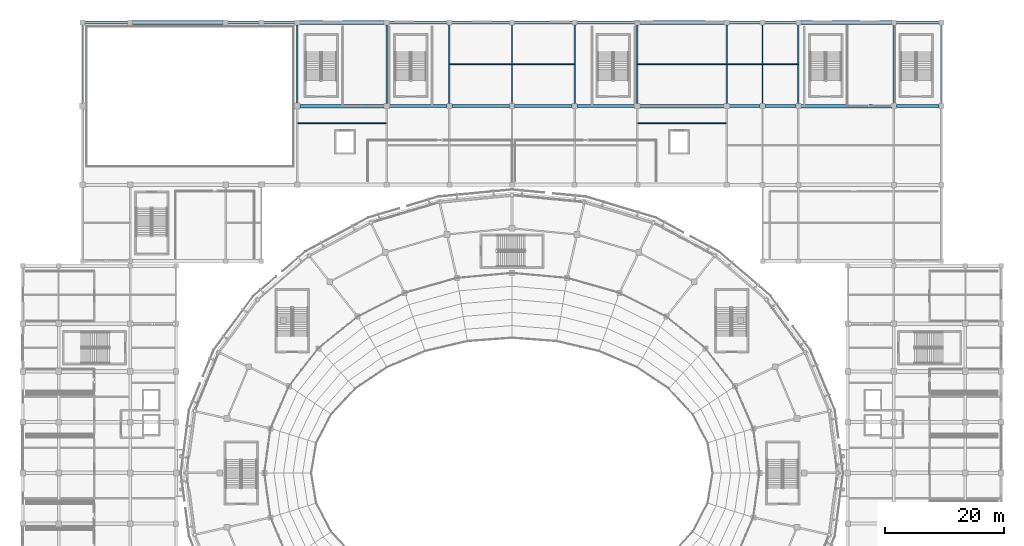
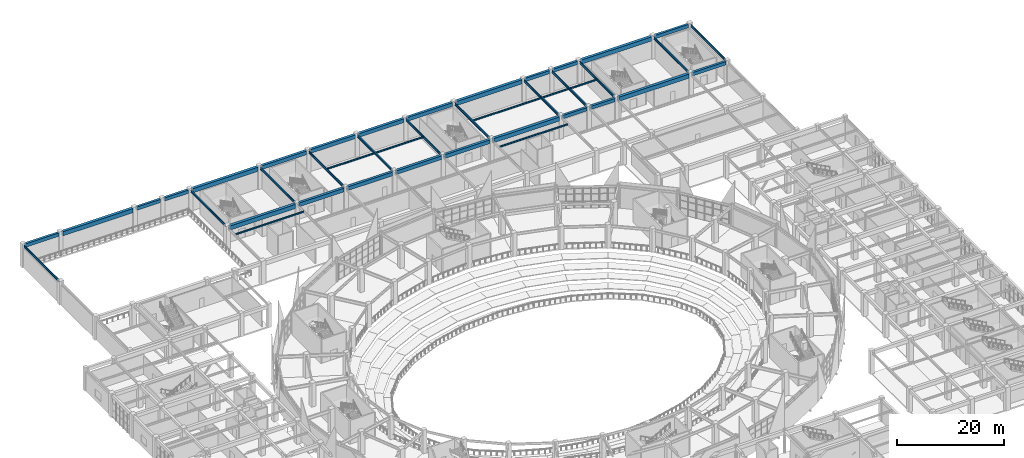
# One storey, part 56 of 120: 43 beams.
"""IFC4 building model written with IfcOpenShell, lengths in metres."""

from ifc_helpers import new_model, si_unit, direction, frame, origin, origin_2d, place, context, subcontext, project, spatial, rectangle, i_section, extrude, material, material_profile, profile_set, type_object, element, save


model = new_model("IFC4")

# Units and contexts
model_context = context("Model", 3, precision=1e-05, world=origin(), true_north=direction((0.0, 1.0)))
body_context = subcontext(model_context, "Body", "Model", "MODEL_VIEW")
ifc_project = project(units=[si_unit("LENGTHUNIT", "METRE"), si_unit("AREAUNIT", "SQUARE_METRE"), si_unit("VOLUMEUNIT", "CUBIC_METRE"), si_unit("PLANEANGLEUNIT", "RADIAN"), si_unit("MASSUNIT", "GRAM", prefix="KILO")], contexts=[model_context])

# Site, building, storey
site_placement = place(None, origin())
site = spatial("IfcSite", under=ifc_project, at=site_placement, CompositionType="ELEMENT")
building_placement = place(site_placement, origin())
building = spatial("IfcBuilding", under=site, at=building_placement, Name="Cuetzalor Civic Arena", CompositionType="ELEMENT")
storey_placement = place(building_placement, frame((0.0, 0.0, 6.0)))
storey = spatial("IfcBuildingStorey", under=building, at=storey_placement, Name="L01", CompositionType="ELEMENT", Elevation=6.0)

# Beams
ifc_material_1 = material(Name="Concrete C40/50", Category="concrete")
ifc_material_profile_1 = material_profile(ifc_material_1, rectangle(XDim=0.5, YDim=0.75, at=origin_2d()), Name="RC 500x750")
ifc_profile_set_1 = profile_set([ifc_material_profile_1], Name="Concrete C40/50")
beam_type_1 = type_object("IfcBeamType", Name="ConcreteFrameBeam_500x750", PredefinedType="BEAM", material=ifc_profile_set_1)
for number, where, z_axis, x_axis, name in (
    (1, (36.4150390625, 61.5, 4.705078125), (1.0, 0.0, 0.0), (0.0, 1.0, 0.0), "Frame Girder V5-L01-X0527"),
    (2, (42.4150390625, 61.5, 4.705078125), (1.0, 0.0, 0.0), (0.0, 1.0, 0.0), "Frame Girder V5-L01-X0528"),
):
    element("IfcBeam", number, at=place(storey_placement, frame(where, z_axis=z_axis, x_axis=x_axis)), inside=storey, type_object=beam_type_1, Name=name, PredefinedType="BEAM", context=body_context, shape_type="SweptSolid", body=[
        extrude(rectangle(XDim=0.5, YDim=0.75, at=origin_2d()), origin(), (0.0, 0.0, 1.0), 5.169921875),
    ])
for number, where, z_axis, x_axis, name in (
    (3, (64.4150390625, 61.5, 4.705078125), (1.0, 0.0, 0.0), (0.0, 1.0, 0.0), "Frame Girder V5-L01-X0530"),
    (4, (-71.5849609375, 75.5, 4.705078125), (1.0, 0.0, 0.0), (0.0, 1.0, 0.0), "Frame Girder V5-L01-X0531"),
):
    element("IfcBeam", number, at=place(storey_placement, frame(where, z_axis=z_axis, x_axis=x_axis)), inside=storey, type_object=beam_type_1, Name=name, PredefinedType="BEAM", context=body_context, shape_type="SweptSolid", body=[
        extrude(rectangle(XDim=0.5, YDim=0.75, at=origin_2d()), origin(), (0.0, 0.0, 1.0), 7.169921875),
    ])
for number, where, z_axis, x_axis, name in (
    (5, (-47.5849609375, 75.5, 4.705078125), (1.0, 0.0, 0.0), (0.0, 1.0, 0.0), "Frame Girder V5-L01-X0533"),
    (6, (-41.5849609375, 75.5, 4.705078125), (1.0, 0.0, 0.0), (0.0, 1.0, 0.0), "Frame Girder V5-L01-X0534"),
    (7, (36.4150390625, 75.5, 4.705078125), (1.0, 0.0, 0.0), (0.0, 1.0, 0.0), "Frame Girder V5-L01-X0541"),
    (8, (42.4150390625, 75.5, 4.705078125), (1.0, 0.0, 0.0), (0.0, 1.0, 0.0), "Frame Girder V5-L01-X0542"),
):
    element("IfcBeam", number, at=place(storey_placement, frame(where, z_axis=z_axis, x_axis=x_axis)), inside=storey, type_object=beam_type_1, Name=name, PredefinedType="BEAM", context=body_context, shape_type="SweptSolid", body=[
        extrude(rectangle(XDim=0.5, YDim=0.75, at=origin_2d()), origin(), (0.0, 0.0, 1.0), 5.169921875),
    ])
beam_1_placement = place(storey_placement, frame((64.4150390625, 75.5, 4.705078125), z_axis=(1.0, 0.0, 0.0), x_axis=(0.0, 1.0, 0.0)))
element("IfcBeam", 9, at=beam_1_placement, inside=storey, type_object=beam_type_1, Name="Frame Girder V5-L01-X0544", PredefinedType="BEAM", context=body_context, shape_type="SweptSolid", body=[
    extrude(rectangle(XDim=0.5, YDim=0.75, at=origin_2d()), origin(), (0.0, 0.0, 1.0), 7.169921875),
])
ifc_material_2 = material(Name="Concrete C40/50", Category="concrete")
ifc_material_profile_2 = material_profile(ifc_material_2, rectangle(XDim=0.550048828125, YDim=0.85009765625, at=origin_2d()), Name="RC 550x850")
ifc_profile_set_2 = profile_set([ifc_material_profile_2], Name="Concrete C40/50")
beam_type_2 = type_object("IfcBeamType", Name="ConcreteFrameBeam_550x850", PredefinedType="BEAM", material=ifc_profile_set_2)
for number, where, z_axis, x_axis, name in (
    (10, (-20.5849609375, 61.5, 4.655029296875), (1.0, 0.0, 0.0), (0.0, 1.0, 0.0), "Frame Girder V5-L01-X0522"),
    (11, (-10.0849609375, 61.5, 4.655029296875), (1.0, 0.0, 0.0), (0.0, 1.0, 0.0), "Frame Girder V5-L01-X0523"),
    (12, (0.4150390625, 61.5, 4.655029296875), (1.0, 0.0, 0.0), (0.0, 1.0, 0.0), "Frame Girder V5-L01-X0524"),
    (13, (10.9150390625, 61.5, 4.655029296875), (1.0, 0.0, 0.0), (0.0, 1.0, 0.0), "Frame Girder V5-L01-X0525"),
    (14, (-20.5849609375, 75.5, 4.655029296875), (1.0, 0.0, 0.0), (0.0, 1.0, 0.0), "Frame Girder V5-L01-X0536"),
    (15, (-10.0849609375, 75.5, 4.655029296875), (1.0, 0.0, 0.0), (0.0, 1.0, 0.0), "Frame Girder V5-L01-X0537"),
    (16, (0.4150390625, 75.5, 4.655029296875), (1.0, 0.0, 0.0), (0.0, 1.0, 0.0), "Frame Girder V5-L01-X0538"),
    (17, (10.9150390625, 75.5, 4.655029296875), (1.0, 0.0, 0.0), (0.0, 1.0, 0.0), "Frame Girder V5-L01-X0539"),
):
    element("IfcBeam", number, at=place(storey_placement, frame(where, z_axis=z_axis, x_axis=x_axis)), inside=storey, type_object=beam_type_2, Name=name, PredefinedType="BEAM", context=body_context, shape_type="SweptSolid", body=[
        extrude(rectangle(XDim=0.550048828125, YDim=0.85009765625, at=origin_2d()), origin(), (0.0, 0.0, 1.0), 9.669921875),
    ])
ifc_material_3 = material(Name="Concrete C40/50", Category="concrete")
ifc_material_profile_3 = material_profile(ifc_material_3, rectangle(XDim=0.60009765625, YDim=0.949951171875, at=origin_2d()), Name="RC 600x950")
ifc_profile_set_3 = profile_set([ifc_material_profile_3], Name="Concrete C40/50")
beam_type_3 = type_object("IfcBeamType", Name="ConcreteFrameBeam_600x950", PredefinedType="BEAM", material=ifc_profile_set_3)
beam_2_placement = place(storey_placement, frame((-35.534912109375, 61.5, 4.60498046875), z_axis=(1.0, 0.0, 0.0), x_axis=(0.0, 1.0, 0.0)))
element("IfcBeam", 18, at=beam_2_placement, inside=storey, type_object=beam_type_3, Name="Frame Girder V5-L01-X0521", PredefinedType="BEAM", context=body_context, shape_type="SweptSolid", body=[
    extrude(rectangle(XDim=0.60009765625, YDim=0.949951171875, at=origin_2d()), origin(), (0.0, 0.0, 1.0), 14.119873046875),
])
beam_3_placement = place(storey_placement, frame((21.4150390625, 61.5, 4.60498046875), z_axis=(1.0, 0.0, 0.0), x_axis=(0.0, 1.0, 0.0)))
element("IfcBeam", 19, at=beam_3_placement, inside=storey, type_object=beam_type_3, Name="Frame Girder V5-L01-X0526", PredefinedType="BEAM", context=body_context, shape_type="SweptSolid", body=[
    extrude(rectangle(XDim=0.60009765625, YDim=0.949951171875, at=origin_2d()), origin(), (0.0, 0.0, 1.0), 14.169921875),
])
for number, where, z_axis, x_axis, name in (
    (20, (48.4150390625, 61.5, 4.60498046875), (1.0, 0.0, 0.0), (0.0, 1.0, 0.0), "Frame Girder V5-L01-X0529"),
    (21, (-63.5849609375, 75.5, 4.60498046875), (1.0, 0.0, 0.0), (0.0, 1.0, 0.0), "Frame Girder V5-L01-X0532"),
):
    element("IfcBeam", number, at=place(storey_placement, frame(where, z_axis=z_axis, x_axis=x_axis)), inside=storey, type_object=beam_type_3, Name=name, PredefinedType="BEAM", context=body_context, shape_type="SweptSolid", body=[
        extrude(rectangle(XDim=0.60009765625, YDim=0.949951171875, at=origin_2d()), origin(), (0.0, 0.0, 1.0), 15.169921875),
    ])
for number, where, z_axis, x_axis, name in (
    (22, (-35.5849609375, 75.5, 4.60498046875), (1.0, 0.0, 0.0), (0.0, 1.0, 0.0), "Frame Girder V5-L01-X0535"),
    (23, (21.4150390625, 75.5, 4.60498046875), (1.0, 0.0, 0.0), (0.0, 1.0, 0.0), "Frame Girder V5-L01-X0540"),
):
    element("IfcBeam", number, at=place(storey_placement, frame(where, z_axis=z_axis, x_axis=x_axis)), inside=storey, type_object=beam_type_3, Name=name, PredefinedType="BEAM", context=body_context, shape_type="SweptSolid", body=[
        extrude(rectangle(XDim=0.60009765625, YDim=0.949951171875, at=origin_2d()), origin(), (0.0, 0.0, 1.0), 14.169921875),
    ])
beam_4_placement = place(storey_placement, frame((48.4150390625, 75.5, 4.60498046875), z_axis=(1.0, 0.0, 0.0), x_axis=(0.0, 1.0, 0.0)))
element("IfcBeam", 24, at=beam_4_placement, inside=storey, type_object=beam_type_3, Name="Frame Girder V5-L01-X0543", PredefinedType="BEAM", context=body_context, shape_type="SweptSolid", body=[
    extrude(rectangle(XDim=0.60009765625, YDim=0.949951171875, at=origin_2d()), origin(), (0.0, 0.0, 1.0), 15.169921875),
])
ifc_material_4 = material(Name="Steel S355", Category="steel")
ifc_material_profile_4 = material_profile(ifc_material_4, i_section(OverallWidth=0.1708984375, OverallDepth=0.35498046875, WebThickness=0.007080078125, FlangeThickness=0.01171875, at=origin_2d()), Name="W360x51")
ifc_profile_set_4 = profile_set([ifc_material_profile_4], Name="Steel S355")
beam_type_4 = type_object("IfcBeamType", Name="SecondaryFloorJoist_W360", PredefinedType="JOIST", material=ifc_profile_set_4)
beam_5_placement = place(storey_placement, frame((-35.903564453125, 58.595947265625, 4.902587890625), z_axis=(1.0, 0.0, 0.0), x_axis=(0.0, 1.0, 0.0)))
element("IfcBeam", 25, at=beam_5_placement, inside=storey, type_object=beam_type_4, Name="Secondary Floor Joist V5-L01-0163", PredefinedType="JOIST", context=body_context, shape_type="SweptSolid", body=[
    extrude(i_section(OverallWidth=0.1708984375, OverallDepth=0.35498046875, WebThickness=0.007080078125, FlangeThickness=0.01171875, at=origin_2d()), origin(), (0.0, 0.0, 1.0), 14.80712890625),
])
for number, where, z_axis, x_axis, name in (
    (26, (-10.403564453125, 68.5, 4.902587890625), (1.0, 0.0, 0.0), (0.0, 1.0, 0.0), "Secondary Floor Joist V5-L01-0166"),
    (27, (0.096435546875, 68.5, 4.902587890625), (1.0, 0.0, 0.0), (0.0, 1.0, 0.0), "Secondary Floor Joist V5-L01-0168"),
):
    element("IfcBeam", number, at=place(storey_placement, frame(where, z_axis=z_axis, x_axis=x_axis)), inside=storey, type_object=beam_type_4, Name=name, PredefinedType="JOIST", context=body_context, shape_type="SweptSolid", body=[
        extrude(i_section(OverallWidth=0.1708984375, OverallDepth=0.35498046875, WebThickness=0.007080078125, FlangeThickness=0.01171875, at=origin_2d()), origin(), (0.0, 0.0, 1.0), 10.30712890625),
    ])
for number, where, z_axis, x_axis, name in (
    (28, (21.096435546875, 58.595947265625, 4.902587890625), (1.0, 0.0, 0.0), (0.0, 1.0, 0.0), "Secondary Floor Joist V5-L01-0170"),
    (29, (21.096435546875, 68.5, 4.902587890625), (1.0, 0.0, 0.0), (0.0, 1.0, 0.0), "Secondary Floor Joist V5-L01-0171"),
):
    element("IfcBeam", number, at=place(storey_placement, frame(where, z_axis=z_axis, x_axis=x_axis)), inside=storey, type_object=beam_type_4, Name=name, PredefinedType="JOIST", context=body_context, shape_type="SweptSolid", body=[
        extrude(i_section(OverallWidth=0.1708984375, OverallDepth=0.35498046875, WebThickness=0.007080078125, FlangeThickness=0.01171875, at=origin_2d()), origin(), (0.0, 0.0, 1.0), 14.80712890625),
    ])
for number, where, z_axis, x_axis, name in (
    (30, (36.096435546875, 68.5, 4.902587890625), (1.0, 0.0, 0.0), (0.0, 1.0, 0.0), "Secondary Floor Joist V5-L01-0173"),
    (31, (42.096435546875, 68.5, 4.902587890625), (1.0, 0.0, 0.0), (0.0, 1.0, 0.0), "Secondary Floor Joist V5-L01-0176"),
):
    element("IfcBeam", number, at=place(storey_placement, frame(where, z_axis=z_axis, x_axis=x_axis)), inside=storey, type_object=beam_type_4, Name=name, PredefinedType="JOIST", context=body_context, shape_type="SweptSolid", body=[
        extrude(i_section(OverallWidth=0.1708984375, OverallDepth=0.35498046875, WebThickness=0.007080078125, FlangeThickness=0.01171875, at=origin_2d()), origin(), (0.0, 0.0, 1.0), 5.80712890625),
    ])
ifc_material_5 = material(Name="Steel S355", Category="steel")
ifc_material_profile_5 = material_profile(ifc_material_5, i_section(OverallWidth=0.208984375, OverallDepth=0.532958984375, WebThickness=0.01025390625, FlangeThickness=0.015625, at=origin_2d()), Name="W530x92")
ifc_profile_set_5 = profile_set([ifc_material_profile_5], Name="Steel S355")
beam_type_5 = type_object("IfcBeamType", Name="SteelCollarGirder_W530", PredefinedType="BEAM", material=ifc_profile_set_5)
for number, where, z_axis, x_axis, name in (
    (32, (-72.0, 61.965087890625, 4.8134765625), (0.0, 1.0, 0.0), (-1.0, 0.0, 0.0), "Frame Girder V5-L01-Y0547"),
    (33, (-36.0, 61.965087890625, 4.8134765625), (0.0, 1.0, 0.0), (-1.0, 0.0, 0.0), "Frame Girder V5-L01-Y0552"),
):
    element("IfcBeam", number, at=place(storey_placement, frame(where, z_axis=z_axis, x_axis=x_axis)), inside=storey, type_object=beam_type_5, Name=name, PredefinedType="BEAM", context=body_context, shape_type="SweptSolid", body=[
        extrude(i_section(OverallWidth=0.208984375, OverallDepth=0.532958984375, WebThickness=0.01025390625, FlangeThickness=0.015625, at=origin_2d()), origin(), (0.0, 0.0, 1.0), 13.119873046875),
    ])
for number, where, z_axis, x_axis, name in (
    (34, (-21.0, 61.9150390625, 4.8134765625), (0.0, 1.0, 0.0), (-1.0, 0.0, 0.0), "Frame Girder V5-L01-Y0554"),
    (35, (-10.5, 61.9150390625, 4.8134765625), (0.0, 1.0, 0.0), (-1.0, 0.0, 0.0), "Frame Girder V5-L01-Y0556"),
    (36, (0.0, 61.9150390625, 4.8134765625), (0.0, 1.0, 0.0), (-1.0, 0.0, 0.0), "Frame Girder V5-L01-Y0558"),
    (37, (10.5, 61.9150390625, 4.8134765625), (0.0, 1.0, 0.0), (-1.0, 0.0, 0.0), "Frame Girder V5-L01-Y0560"),
    (38, (21.0, 61.9150390625, 4.8134765625), (0.0, 1.0, 0.0), (-1.0, 0.0, 0.0), "Frame Girder V5-L01-Y0562"),
    (39, (36.0, 61.9150390625, 4.8134765625), (0.0, 1.0, 0.0), (-1.0, 0.0, 0.0), "Frame Girder V5-L01-Y0564"),
    (40, (42.0, 61.9150390625, 4.8134765625), (0.0, 1.0, 0.0), (-1.0, 0.0, 0.0), "Frame Girder V5-L01-Y0567"),
    (41, (48.0, 61.9150390625, 4.8134765625), (0.0, 1.0, 0.0), (-1.0, 0.0, 0.0), "Frame Girder V5-L01-Y0570"),
    (42, (64.0, 61.9150390625, 4.8134765625), (0.0, 1.0, 0.0), (-1.0, 0.0, 0.0), "Frame Girder V5-L01-Y0573"),
    (43, (72.0, 61.9150390625, 4.8134765625), (0.0, 1.0, 0.0), (-1.0, 0.0, 0.0), "Frame Girder V5-L01-Y0576"),
):
    element("IfcBeam", number, at=place(storey_placement, frame(where, z_axis=z_axis, x_axis=x_axis)), inside=storey, type_object=beam_type_5, Name=name, PredefinedType="BEAM", context=body_context, shape_type="SweptSolid", body=[
        extrude(i_section(OverallWidth=0.208984375, OverallDepth=0.532958984375, WebThickness=0.01025390625, FlangeThickness=0.015625, at=origin_2d()), origin(), (0.0, 0.0, 1.0), 13.169921875),
    ])

save(model, "model.ifc")
